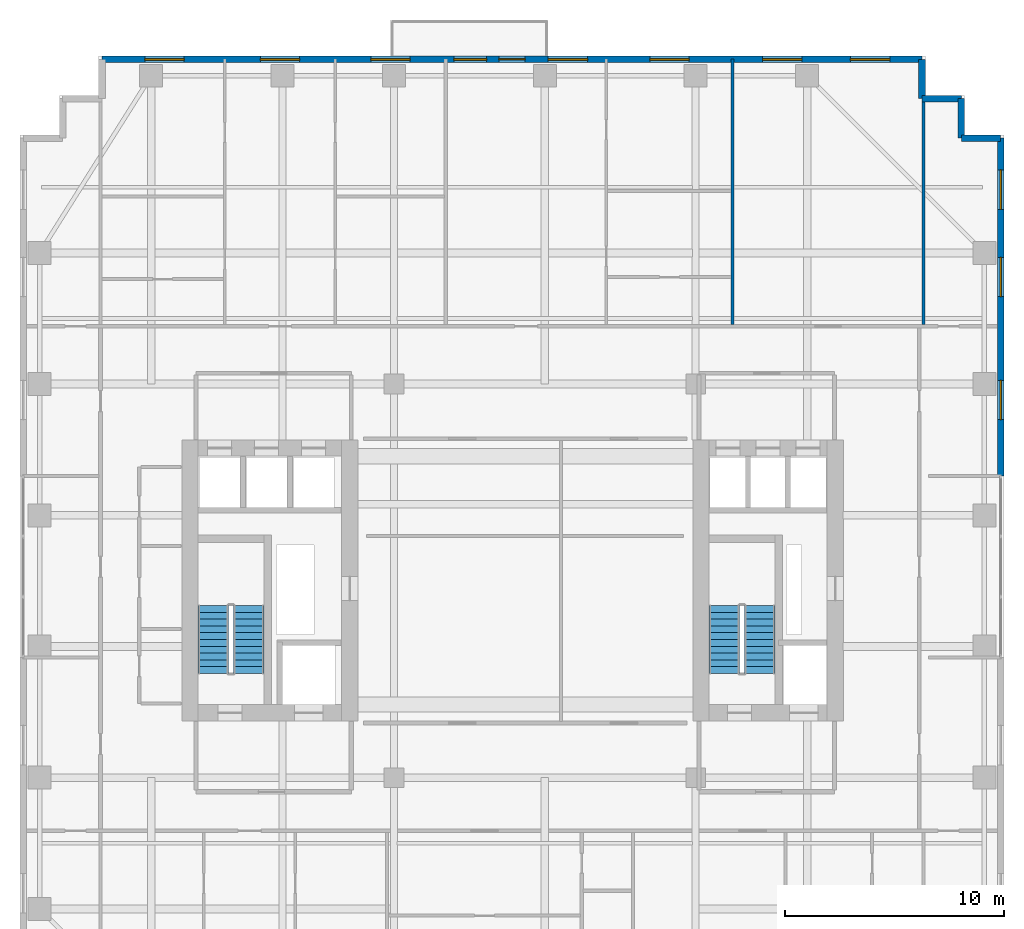
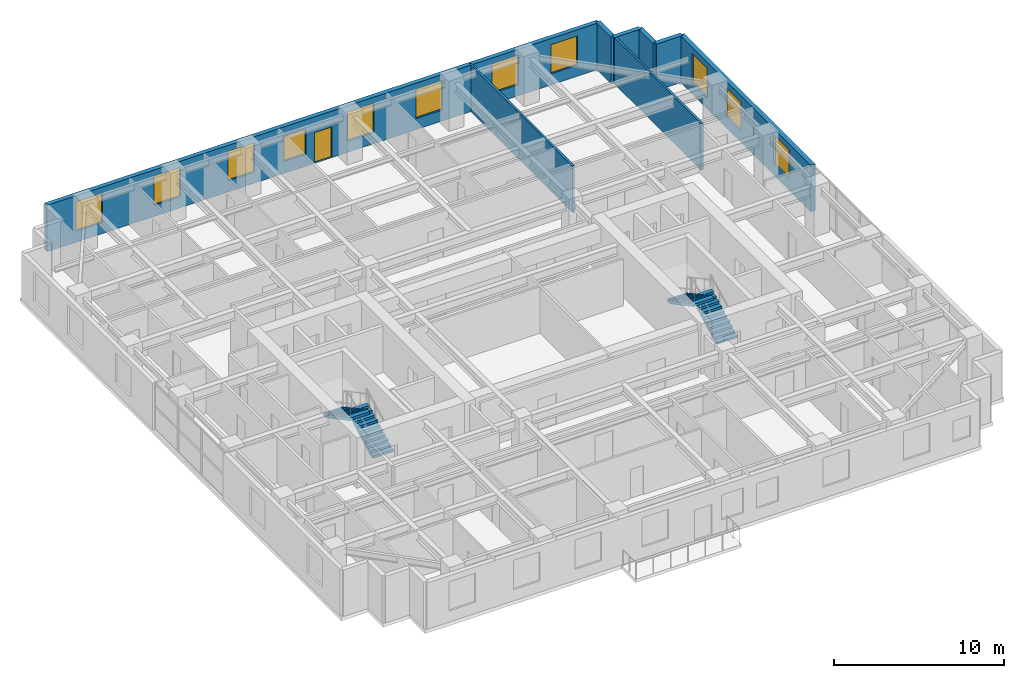
# One storey, part 11 of 13: 11 windows, 8 walls, 4 stair flights, 1 door, 12 openings, 2 elements without a shape of their own.
"""IFC4 building model written with IfcOpenShell, lengths in metres."""

import ifcopenshell
import ifcopenshell.guid

model = None  # the IFC model being written
_history = None  # IfcOwnerHistory: only IFC2X3 demands one
_inside = {}  # id of a spatial element -> (the spatial element, [elements in it])
_under = {}  # id of a project, library or spatial element -> (it, [spatial elements below it])
_declared = {}  # id of a project -> (the project, [libraries it declares])
_typed = {}  # id of a type object -> (the type object, [elements of that type])
_made_of = {}  # id of a material, layer set ... -> (it, [elements and type objects made of it])


def new_model(schema):
    """Start an empty IFC model of exactly this schema.

    Asked for "IFC4X3", IfcOpenShell would pick the latest addendum, in which some entities
    have other attributes; the version numbers below select the first issue.
    IFC2X3 requires an IfcOwnerHistory on every rooted entity: one is made here for all.
    """
    global model, _history
    if schema == "IFC4X3":
        model = ifcopenshell.file(schema_version=(4, 3, 0, 0))
    else:
        model = ifcopenshell.file(schema=schema)
    _inside.clear()
    _under.clear()
    _declared.clear()
    _typed.clear()
    _made_of.clear()
    _history = None
    if model.schema == "IFC2X3":
        org = make("IfcOrganization", Name="unknown")
        user = make(
            "IfcPersonAndOrganization",
            ThePerson=make("IfcPerson", FamilyName="unknown"),
            TheOrganization=org,
        )
        app = make(
            "IfcApplication",
            ApplicationDeveloper=org,
            Version="unknown",
            ApplicationFullName="unknown",
            ApplicationIdentifier="unknown",
        )
        _history = make(
            "IfcOwnerHistory",
            OwningUser=user,
            OwningApplication=app,
            ChangeAction="ADDED",
            CreationDate=0,
        )
    return model


def make(cls, **values):
    """One entity of the class cls with the attributes given. An attribute that is None is left unset."""
    return model.create_entity(
        cls, **{name: value for name, value in values.items() if value is not None}
    )


def rooted(cls, **values):
    """An entity with a GlobalId (a new one), such as an element, a storey or a relation."""
    return make(cls, GlobalId=ifcopenshell.guid.new(), OwnerHistory=_history, **values)


def si_unit(unit_type, name, prefix=None):
    """IfcSIUnit, for example si_unit("LENGTHUNIT", "METRE", prefix="MILLI")."""
    return make("IfcSIUnit", UnitType=unit_type, Prefix=prefix, Name=name)


def assignment(units):
    """IfcUnitAssignment: the units of a project."""
    return None if units is None else make("IfcUnitAssignment", Units=units)


def point(xyz):
    """IfcCartesianPoint."""
    return None if xyz is None else make("IfcCartesianPoint", Coordinates=xyz)


def direction(xyz):
    """IfcDirection."""
    return None if xyz is None else make("IfcDirection", DirectionRatios=xyz)


def frame(location, z_axis=None, x_axis=None):
    """IfcAxis2Placement3D, a coordinate frame: its origin and axes. An axis left out is left unset."""
    return make(
        "IfcAxis2Placement3D",
        Location=point(location),
        Axis=direction(z_axis),
        RefDirection=direction(x_axis),
    )


def frame_2d(location, x_axis=None):
    """IfcAxis2Placement2D, a coordinate frame in the plane: its origin and x axis."""
    return make(
        "IfcAxis2Placement2D", Location=point(location), RefDirection=direction(x_axis)
    )


def origin():
    """The frame at (0, 0, 0) with its axes left unset."""
    return frame((0.0, 0.0, 0.0))


def place(relative_to, where):
    """IfcLocalPlacement: puts the frame where relative to a parent placement (None: the world)."""
    return make(
        "IfcLocalPlacement", PlacementRelTo=relative_to, RelativePlacement=where
    )


def context(
    kind, dimensions, precision=None, world=None, true_north=None, identifier=None
):
    """IfcGeometricRepresentationContext, for example the 3D "Model" context."""
    return make(
        "IfcGeometricRepresentationContext",
        ContextIdentifier=identifier,
        ContextType=kind,
        CoordinateSpaceDimension=dimensions,
        Precision=precision,
        WorldCoordinateSystem=world,
        TrueNorth=true_north,
    )


def subcontext(parent, identifier, kind, view, scale=None):
    """IfcGeometricRepresentationSubContext, for example "Body" below "Model"."""
    return make(
        "IfcGeometricRepresentationSubContext",
        ContextIdentifier=identifier,
        ContextType=kind,
        ParentContext=parent,
        TargetScale=scale,
        TargetView=view,
    )


def project(units=None, contexts=None):
    """IfcProject with its units and contexts."""
    return rooted(
        "IfcProject",
        Name="project",
        RepresentationContexts=contexts,
        UnitsInContext=assignment(units),
    )


def spatial(cls, under=None, at=None, **own):
    """A site, building, storey or space (cls), placed at a placement, below another one or the project."""
    s = rooted(cls, ObjectPlacement=at, **own)
    if under is not None:
        _under.setdefault(under.id(), (under, []))[1].append(s)
    return s


def polyline(points):
    """IfcPolyline through the points."""
    return make("IfcPolyline", Points=[point(p) for p in points])


def profile(cls, at=None, kind="AREA", **sizes):
    """A parametric profile (cls). Its sizes go by their IFC names, for example OverallWidth=200.0."""
    return make(cls, ProfileType=kind, Position=at, **sizes)


def rectangle(**sizes):
    """IfcRectangleProfileDef."""
    return profile("IfcRectangleProfileDef", **sizes)


def outline(outer, holes=None, kind="AREA"):
    """IfcArbitraryClosedProfileDef: a profile drawn as a closed curve; with holes, ...WithVoids."""
    if holes is None:
        return make("IfcArbitraryClosedProfileDef", ProfileType=kind, OuterCurve=outer)
    return make(
        "IfcArbitraryProfileDefWithVoids",
        ProfileType=kind,
        OuterCurve=outer,
        InnerCurves=holes,
    )


def extrude(swept, where, along, depth):
    """IfcExtrudedAreaSolid: the profile swept, set in the frame where, extruded along a direction by depth."""
    return make(
        "IfcExtrudedAreaSolid",
        SweptArea=swept,
        Position=where,
        ExtrudedDirection=direction(along),
        Depth=depth,
    )


def shape(context_of_items, identifier, shape_type, items):
    """IfcShapeRepresentation: the items that make up one representation, for example the "Body"."""
    return make(
        "IfcShapeRepresentation",
        ContextOfItems=context_of_items,
        RepresentationIdentifier=identifier,
        RepresentationType=shape_type,
        Items=items,
    )


def source(mapping_origin, context_of_items, identifier, shape_type, items):
    """IfcRepresentationMap: a shape defined once, which mapped items show again and again."""
    return make(
        "IfcRepresentationMap",
        MappingOrigin=mapping_origin,
        MappedRepresentation=shape(context_of_items, identifier, shape_type, items),
    )


def transform(
    local_origin,
    x_axis=None,
    y_axis=None,
    z_axis=None,
    scale=None,
    scale2=None,
    scale3=None,
    uniform=True,
):
    """IfcCartesianTransformationOperator3D, or its non-uniform kind. x_axis, y_axis, z_axis: its Axis1, 2, 3."""
    if uniform:
        return make(
            "IfcCartesianTransformationOperator3D",
            Axis1=direction(x_axis),
            Axis2=direction(y_axis),
            LocalOrigin=point(local_origin),
            Scale=scale,
            Axis3=direction(z_axis),
        )
    return make(
        "IfcCartesianTransformationOperator3DnonUniform",
        Axis1=direction(x_axis),
        Axis2=direction(y_axis),
        LocalOrigin=point(local_origin),
        Scale=scale,
        Axis3=direction(z_axis),
        Scale2=scale2,
        Scale3=scale3,
    )


def mapped(mapping_source, mapping_target):
    """IfcMappedItem: shows the shape of a source again, moved by a transform."""
    return make(
        "IfcMappedItem", MappingSource=mapping_source, MappingTarget=mapping_target
    )


def material(Name=None, Category=None):
    """IfcMaterial."""
    return make("IfcMaterial", Name=Name, Category=Category)


def layer(
    of_material, thickness, ventilated=None, Name=None, Category=None, Priority=None
):
    """IfcMaterialLayer: one layer of a wall or slab, of a material (None: an air gap)."""
    return make(
        "IfcMaterialLayer",
        Material=of_material,
        LayerThickness=thickness,
        IsVentilated=ventilated,
        Name=Name,
        Category=Category,
        Priority=Priority,
    )


def layer_set(layers, Name=None):
    """IfcMaterialLayerSet."""
    return make("IfcMaterialLayerSet", MaterialLayers=layers, LayerSetName=Name)


def made_of(thing, what):
    """Note that an element or type object is made of a material, layer set ...; save() writes the relation."""
    if what is not None:
        _made_of.setdefault(what.id(), (what, []))[1].append(thing)
    return thing


def type_object(cls, material=None, **own):
    """A type object (cls), such as IfcWallType, which elements share."""
    return made_of(rooted(cls, **own), material)


def element(
    cls,
    number,
    at=None,
    inside=None,
    cuts=None,
    type_object=None,
    material=None,
    context=None,
    identifier="Body",
    shape_type=None,
    held_by="IfcProductDefinitionShape",
    body=None,
    shapes=None,
    **own,
):
    """One element of the class cls, such as IfcWall. Its Tag is "e" and its number.

    at: its placement. inside: the storey or other place that contains it. cuts: it is an
    opening in that element (IfcRelVoidsElement). A single representation is given by context,
    identifier, shape_type and body (its items); several are given by shapes. held_by: the class
    of the entity that holds the representations. save() writes the other relations.
    """
    e = rooted(cls, Tag="e%d" % number, ObjectPlacement=at, **own)
    if body is not None:
        shapes = [shape(context, identifier, shape_type, body)]
    if shapes is not None:
        e.Representation = make(held_by, Representations=shapes)
    if inside is not None:
        _inside.setdefault(inside.id(), (inside, []))[1].append(e)
    if cuts is not None:
        rooted(
            "IfcRelVoidsElement", RelatingBuildingElement=cuts, RelatedOpeningElement=e
        )
    if type_object is not None:
        _typed.setdefault(type_object.id(), (type_object, []))[1].append(e)
    return made_of(e, material)


def fill(opening, filler):
    """IfcRelFillsElement: the door or window that sits in an opening."""
    return rooted(
        "IfcRelFillsElement",
        RelatingOpeningElement=opening,
        RelatedBuildingElement=filler,
    )


def aggregate(whole, parts):
    """IfcRelAggregates: a whole, such as a stair, and the parts it consists of."""
    return rooted("IfcRelAggregates", RelatingObject=whole, RelatedObjects=parts)


def save(model, path):
    """Write the relations noted so far, then the file.

    IfcRelAggregates (storeys below a building ...), IfcRelContainedInSpatialStructure (elements
    in a storey), IfcRelDefinesByType, IfcRelAssociatesMaterial and IfcRelDeclares: one each for
    every whole, place, type object, material and project.
    """
    for whole, parts in _under.values():
        aggregate(whole, parts)
    for where, things in _inside.values():
        rooted(
            "IfcRelContainedInSpatialStructure",
            RelatedElements=things,
            RelatingStructure=where,
        )
    for kind, things in _typed.values():
        rooted("IfcRelDefinesByType", RelatedObjects=things, RelatingType=kind)
    for what, things in _made_of.values():
        rooted("IfcRelAssociatesMaterial", RelatedObjects=things, RelatingMaterial=what)
    for by, libraries in _declared.values():
        rooted("IfcRelDeclares", RelatingContext=by, RelatedDefinitions=libraries)
    model.write(path)


model = new_model("IFC4")

# Units and contexts
model_context = context("Model", 3, precision=1e-05, world=origin(), true_north=direction((0.0, 1.0)))
body_context = subcontext(model_context, "Body", "Model", "MODEL_VIEW")
ifc_project = project(units=[si_unit("LENGTHUNIT", "METRE"), si_unit("AREAUNIT", "SQUARE_METRE"), si_unit("VOLUMEUNIT", "CUBIC_METRE"), si_unit("PLANEANGLEUNIT", "RADIAN"), si_unit("MASSUNIT", "GRAM", prefix="KILO")], contexts=[model_context])

# Site, building, storey
site_placement = place(None, origin())
site = spatial("IfcSite", under=ifc_project, at=site_placement, CompositionType="ELEMENT")
building_placement = place(site_placement, origin())
building = spatial("IfcBuilding", under=site, at=building_placement, Name="Khoralis Quay Care Tower", CompositionType="ELEMENT")
storey_placement = place(building_placement, frame((0.0, 0.0, 87.300048828125)))
storey = spatial("IfcBuildingStorey", under=building, at=storey_placement, Name="L22", CompositionType="ELEMENT", Elevation=87.300048828125)

# Wall, openings, windows
ifc_material_1 = material(Name="Precast concrete C45/55", Category="concrete")
ifc_layer_1 = layer(ifc_material_1, 0.300048828125)
ifc_layer_set_1 = layer_set([ifc_layer_1], Name="Precast concrete C45/55")
wall_type_1 = type_object("IfcWallType", Name="WL-EXT-REF-300", PredefinedType="SOLIDWALL", material=ifc_layer_set_1)
wall_1_placement = place(storey_placement, frame((44.85009765625, 25.800048828125, 0.0), z_axis=(0.0, 0.0, 1.0), x_axis=(0.0, 1.0, 0.0)))
wall_1 = element("IfcWall", 1, at=wall_1_placement, inside=storey, type_object=wall_type_1, Name="L22 External Facade Wall WL-EXT-L22-P1-E5B", PredefinedType="SOLIDWALL", context=body_context, shape_type="SweptSolid", body=[
    extrude(rectangle(XDim=15.449951171875, YDim=0.300048828125, at=frame_2d((7.72509765625, 0.0))), origin(), (0.0, 0.0, 1.0), 3.33984375),
])
opening_1_placement = place(wall_1_placement, frame((2.570068359375, 0.0, 0.800048828125)))
opening_1 = element("IfcOpeningElement", 2, at=opening_1_placement, cuts=wall_1, Name="Opening W2", PredefinedType="OPENING", context=body_context, shape_type="SweptSolid", body=[
    extrude(rectangle(XDim=1.800048828125, YDim=2.10009765625, at=frame_2d((0.89990234375, 1.050048828125))), frame((0.0, 0.16015625, 0.0), z_axis=(0.0, -1.0, 0.0), x_axis=(1.0, 0.0, 0.0)), (0.0, 0.0, 1.0), 0.320068359375),
])
opening_2_placement = place(wall_1_placement, frame((8.197509765625, 0.0, 0.800048828125)))
opening_2 = element("IfcOpeningElement", 3, at=opening_2_placement, cuts=wall_1, Name="Opening W2", PredefinedType="OPENING", context=body_context, shape_type="SweptSolid", body=[
    extrude(rectangle(XDim=1.800048828125, YDim=2.10009765625, at=frame_2d((0.89990234375, 1.050048828125))), frame((0.0, 0.16015625, 0.0), z_axis=(0.0, -1.0, 0.0), x_axis=(1.0, 0.0, 0.0)), (0.0, 0.0, 1.0), 0.320068359375),
])
opening_3_placement = place(wall_1_placement, frame((12.1923828125, 0.0, 0.800048828125)))
opening_3 = element("IfcOpeningElement", 4, at=opening_3_placement, cuts=wall_1, Name="Opening W2", PredefinedType="OPENING", context=body_context, shape_type="SweptSolid", body=[
    extrude(rectangle(XDim=1.800048828125, YDim=2.10009765625, at=frame_2d((0.89990234375, 1.050048828125))), frame((0.0, 0.16015625, 0.0), z_axis=(0.0, -1.0, 0.0), x_axis=(1.0, 0.0, 0.0)), (0.0, 0.0, 1.0), 0.320068359375),
])
ifc_material_2 = material(Name="Low-E solar-control double glazing", Category="glass")
window_type_1 = type_object("IfcWindowType", Name="WN-POD-1800X2100", PartitioningType="SINGLE_PANEL", PredefinedType="WINDOW", material=ifc_material_2)
shared_shape_1 = source(origin(), body_context, "Body", "SweptSolid", [
    extrude(rectangle(XDim=1.800048828125, YDim=2.10009765625, at=frame_2d((0.89990234375, 1.050048828125))), frame((0.0, 0.030029296875, 0.0), z_axis=(0.0, -1.0, 0.0), x_axis=(1.0, 0.0, 0.0)), (0.0, 0.0, 1.0), 0.06005859375),
])
window_1_placement = place(opening_1_placement, origin())
window_1 = element("IfcWindow", 5, at=window_1_placement, inside=storey, type_object=window_type_1, Name="WN-L22-P1-E5B Facade Window 01", OverallHeight=2.10009765625, OverallWidth=1.800048828125, PartitioningType="SINGLE_PANEL", PredefinedType="WINDOW", context=body_context, shape_type="MappedRepresentation", body=[
    mapped(shared_shape_1, transform((0.0, 0.0, 0.0), scale=1.0)),
])
fill(opening_1, window_1)
window_2_placement = place(opening_2_placement, origin())
window_2 = element("IfcWindow", 6, at=window_2_placement, inside=storey, type_object=window_type_1, Name="WN-L22-P1-E5B Facade Window 02", OverallHeight=2.10009765625, OverallWidth=1.800048828125, PartitioningType="SINGLE_PANEL", PredefinedType="WINDOW", context=body_context, shape_type="MappedRepresentation", body=[
    mapped(shared_shape_1, transform((0.0, 0.0, 0.0), scale=1.0)),
])
fill(opening_2, window_2)
window_3_placement = place(opening_3_placement, origin())
window_3 = element("IfcWindow", 7, at=window_3_placement, inside=storey, type_object=window_type_1, Name="WN-L22-P1-E5B Facade Window 03", OverallHeight=2.10009765625, OverallWidth=1.800048828125, PartitioningType="SINGLE_PANEL", PredefinedType="WINDOW", context=body_context, shape_type="MappedRepresentation", body=[
    mapped(shared_shape_1, transform((0.0, 0.0, 0.0), scale=1.0)),
])
fill(opening_3, window_3)

# Walls
for number, where, z_axis, x_axis, name in (
    (8, (44.85009765625, 41.25, 0.0), (0.0, 0.0, 1.0), (-1.0, 0.0, 0.0), "L22 External Facade Wall WL-EXT-L22-P1-C6"),
    (9, (43.050048828125, 41.25, 0.0), (0.0, 0.0, 1.0), (0.0, 1.0, 0.0), "L22 External Facade Wall WL-EXT-L22-P1-C7"),
    (10, (43.050048828125, 43.050048828125, 0.0), (0.0, 0.0, 1.0), (-1.0, 0.0, 0.0), "L22 External Facade Wall WL-EXT-L22-P1-C8"),
    (11, (41.25, 43.050048828125, 0.0), (0.0, 0.0, 1.0), (0.0, 1.0, 0.0), "L22 External Facade Wall WL-EXT-L22-P1-C9"),
):
    element("IfcWall", number, at=place(storey_placement, frame(where, z_axis=z_axis, x_axis=x_axis)), inside=storey, type_object=wall_type_1, Name=name, PredefinedType="SOLIDWALL", context=body_context, shape_type="SweptSolid", body=[
        extrude(rectangle(XDim=1.800048828125, YDim=0.300048828125, at=frame_2d((0.89990234375, 0.0))), origin(), (0.0, 0.0, 1.0), 3.33984375),
    ])

# Wall, openings, windows, door
wall_2_placement = place(storey_placement, frame((41.25, 44.85009765625, 0.0), z_axis=(0.0, 0.0, 1.0), x_axis=(-1.0, 0.0, 0.0)))
wall_2 = element("IfcWall", 12, at=wall_2_placement, inside=storey, type_object=wall_type_1, Name="L22 External Facade Wall WL-EXT-L22-P1-E10", PredefinedType="SOLIDWALL", context=body_context, shape_type="SweptSolid", body=[
    extrude(rectangle(XDim=37.5, YDim=0.300048828125, at=frame_2d((18.75, 0.0))), origin(), (0.0, 0.0, 1.0), 3.33984375),
])
opening_4_placement = place(wall_2_placement, frame((1.469970703125, 0.0, 0.800048828125)))
opening_4 = element("IfcOpeningElement", 13, at=opening_4_placement, cuts=wall_2, Name="Opening W2", PredefinedType="OPENING", context=body_context, shape_type="SweptSolid", body=[
    extrude(rectangle(XDim=1.800048828125, YDim=2.10009765625, at=frame_2d((0.89990234375, 1.050048828125))), frame((0.0, 0.16015625, 0.0), z_axis=(0.0, -1.0, 0.0), x_axis=(1.0, 0.0, 0.0)), (0.0, 0.0, 1.0), 0.320068359375),
])
opening_5_placement = place(wall_2_placement, frame((5.489990234375, 0.0, 0.800048828125)))
opening_5 = element("IfcOpeningElement", 14, at=opening_5_placement, cuts=wall_2, Name="Opening W2", PredefinedType="OPENING", context=body_context, shape_type="SweptSolid", body=[
    extrude(rectangle(XDim=1.800048828125, YDim=2.10009765625, at=frame_2d((0.89990234375, 1.050048828125))), frame((0.0, 0.16015625, 0.0), z_axis=(0.0, -1.0, 0.0), x_axis=(1.0, 0.0, 0.0)), (0.0, 0.0, 1.0), 0.320068359375),
])
opening_6_placement = place(wall_2_placement, frame((10.646484375, 0.0, 0.800048828125)))
opening_6 = element("IfcOpeningElement", 15, at=opening_6_placement, cuts=wall_2, Name="Opening W2", PredefinedType="OPENING", context=body_context, shape_type="SweptSolid", body=[
    extrude(rectangle(XDim=1.800048828125, YDim=2.10009765625, at=frame_2d((0.89990234375, 1.050048828125))), frame((0.0, 0.16015625, 0.0), z_axis=(0.0, -1.0, 0.0), x_axis=(1.0, 0.0, 0.0)), (0.0, 0.0, 1.0), 0.320068359375),
])
opening_7_placement = place(wall_2_placement, frame((15.29638671875, 0.0, 0.800048828125)))
opening_7 = element("IfcOpeningElement", 16, at=opening_7_placement, cuts=wall_2, Name="Opening W2", PredefinedType="OPENING", context=body_context, shape_type="SweptSolid", body=[
    extrude(rectangle(XDim=1.800048828125, YDim=2.10009765625, at=frame_2d((0.89990234375, 1.050048828125))), frame((0.0, 0.16015625, 0.0), z_axis=(0.0, -1.0, 0.0), x_axis=(1.0, 0.0, 0.0)), (0.0, 0.0, 1.0), 0.320068359375),
])
opening_8_placement = place(wall_2_placement, frame((19.909912109375, 0.0, 0.85009765625)))
opening_8 = element("IfcOpeningElement", 17, at=opening_8_placement, cuts=wall_2, Name="Opening W3", PredefinedType="OPENING", context=body_context, shape_type="SweptSolid", body=[
    extrude(rectangle(XDim=1.5, YDim=1.800048828125, at=frame_2d((0.75, 0.89990234375))), frame((0.0, 0.16015625, 0.0), z_axis=(0.0, -1.0, 0.0), x_axis=(1.0, 0.0, 0.0)), (0.0, 0.0, 1.0), 0.320068359375),
])
opening_9_placement = place(wall_2_placement, frame((23.406494140625, 0.0, 0.800048828125)))
opening_9 = element("IfcOpeningElement", 18, at=opening_9_placement, cuts=wall_2, Name="Opening W2", PredefinedType="OPENING", context=body_context, shape_type="SweptSolid", body=[
    extrude(rectangle(XDim=1.800048828125, YDim=2.10009765625, at=frame_2d((0.89990234375, 1.050048828125))), frame((0.0, 0.16015625, 0.0), z_axis=(0.0, -1.0, 0.0), x_axis=(1.0, 0.0, 0.0)), (0.0, 0.0, 1.0), 0.320068359375),
])
opening_10_placement = place(wall_2_placement, frame((28.45947265625, 0.0, 0.800048828125)))
opening_10 = element("IfcOpeningElement", 19, at=opening_10_placement, cuts=wall_2, Name="Opening W2", PredefinedType="OPENING", context=body_context, shape_type="SweptSolid", body=[
    extrude(rectangle(XDim=1.800048828125, YDim=2.10009765625, at=frame_2d((0.89990234375, 1.050048828125))), frame((0.0, 0.16015625, 0.0), z_axis=(0.0, -1.0, 0.0), x_axis=(1.0, 0.0, 0.0)), (0.0, 0.0, 1.0), 0.320068359375),
])
opening_11_placement = place(wall_2_placement, frame((33.742919921875, 0.0, 0.800048828125)))
opening_11 = element("IfcOpeningElement", 20, at=opening_11_placement, cuts=wall_2, Name="Opening W2", PredefinedType="OPENING", context=body_context, shape_type="SweptSolid", body=[
    extrude(rectangle(XDim=1.800048828125, YDim=2.10009765625, at=frame_2d((0.89990234375, 1.050048828125))), frame((0.0, 0.16015625, 0.0), z_axis=(0.0, -1.0, 0.0), x_axis=(1.0, 0.0, 0.0)), (0.0, 0.0, 1.0), 0.320068359375),
])
opening_12_placement = place(wall_2_placement, frame((18.14990234375, 0.0, 0.0)))
opening_12 = element("IfcOpeningElement", 21, at=opening_12_placement, cuts=wall_2, Name="Opening BD1", PredefinedType="OPENING", context=body_context, shape_type="SweptSolid", body=[
    extrude(rectangle(XDim=1.199951171875, YDim=2.199951171875, at=frame_2d((0.60009765625, 1.10009765625))), frame((0.0, 0.16015625, 0.0), z_axis=(0.0, -1.0, 0.0), x_axis=(1.0, 0.0, 0.0)), (0.0, 0.0, 1.0), 0.320068359375),
])
window_type_2 = type_object("IfcWindowType", Name="WN-CLIN-1500X1800", PartitioningType="SINGLE_PANEL", PredefinedType="WINDOW", material=ifc_material_2)
shared_shape_2 = source(origin(), body_context, "Body", "SweptSolid", [
    extrude(rectangle(XDim=1.5, YDim=1.800048828125, at=frame_2d((0.75, 0.89990234375))), frame((0.0, 0.030029296875, 0.0), z_axis=(0.0, -1.0, 0.0), x_axis=(1.0, 0.0, 0.0)), (0.0, 0.0, 1.0), 0.06005859375),
])
window_4_placement = place(opening_8_placement, origin())
window_4 = element("IfcWindow", 22, at=window_4_placement, inside=storey, type_object=window_type_2, Name="WN-L22-P1-E10 Facade Window 05", OverallHeight=1.800048828125, OverallWidth=1.5, PartitioningType="SINGLE_PANEL", PredefinedType="WINDOW", context=body_context, shape_type="MappedRepresentation", body=[
    mapped(shared_shape_2, transform((0.0, 0.0, 0.0), scale=1.0)),
])
fill(opening_8, window_4)
window_5_placement = place(opening_4_placement, origin())
window_5 = element("IfcWindow", 23, at=window_5_placement, inside=storey, type_object=window_type_1, Name="WN-L22-P1-E10 Facade Window 01", OverallHeight=2.10009765625, OverallWidth=1.800048828125, PartitioningType="SINGLE_PANEL", PredefinedType="WINDOW", context=body_context, shape_type="MappedRepresentation", body=[
    mapped(shared_shape_1, transform((0.0, 0.0, 0.0), scale=1.0)),
])
fill(opening_4, window_5)
window_6_placement = place(opening_5_placement, origin())
window_6 = element("IfcWindow", 24, at=window_6_placement, inside=storey, type_object=window_type_1, Name="WN-L22-P1-E10 Facade Window 02", OverallHeight=2.10009765625, OverallWidth=1.800048828125, PartitioningType="SINGLE_PANEL", PredefinedType="WINDOW", context=body_context, shape_type="MappedRepresentation", body=[
    mapped(shared_shape_1, transform((0.0, 0.0, 0.0), scale=1.0)),
])
fill(opening_5, window_6)
window_7_placement = place(opening_6_placement, origin())
window_7 = element("IfcWindow", 25, at=window_7_placement, inside=storey, type_object=window_type_1, Name="WN-L22-P1-E10 Facade Window 03", OverallHeight=2.10009765625, OverallWidth=1.800048828125, PartitioningType="SINGLE_PANEL", PredefinedType="WINDOW", context=body_context, shape_type="MappedRepresentation", body=[
    mapped(shared_shape_1, transform((0.0, 0.0, 0.0), scale=1.0)),
])
fill(opening_6, window_7)
window_8_placement = place(opening_7_placement, origin())
window_8 = element("IfcWindow", 26, at=window_8_placement, inside=storey, type_object=window_type_1, Name="WN-L22-P1-E10 Facade Window 04", OverallHeight=2.10009765625, OverallWidth=1.800048828125, PartitioningType="SINGLE_PANEL", PredefinedType="WINDOW", context=body_context, shape_type="MappedRepresentation", body=[
    mapped(shared_shape_1, transform((0.0, 0.0, 0.0), scale=1.0)),
])
fill(opening_7, window_8)
window_9_placement = place(opening_9_placement, origin())
window_9 = element("IfcWindow", 27, at=window_9_placement, inside=storey, type_object=window_type_1, Name="WN-L22-P1-E10 Facade Window 06", OverallHeight=2.10009765625, OverallWidth=1.800048828125, PartitioningType="SINGLE_PANEL", PredefinedType="WINDOW", context=body_context, shape_type="MappedRepresentation", body=[
    mapped(shared_shape_1, transform((0.0, 0.0, 0.0), scale=1.0)),
])
fill(opening_9, window_9)
window_10_placement = place(opening_10_placement, origin())
window_10 = element("IfcWindow", 28, at=window_10_placement, inside=storey, type_object=window_type_1, Name="WN-L22-P1-E10 Facade Window 07", OverallHeight=2.10009765625, OverallWidth=1.800048828125, PartitioningType="SINGLE_PANEL", PredefinedType="WINDOW", context=body_context, shape_type="MappedRepresentation", body=[
    mapped(shared_shape_1, transform((0.0, 0.0, 0.0), scale=1.0)),
])
fill(opening_10, window_10)
window_11_placement = place(opening_11_placement, origin())
window_11 = element("IfcWindow", 29, at=window_11_placement, inside=storey, type_object=window_type_1, Name="WN-L22-P1-E10 Facade Window 08", OverallHeight=2.10009765625, OverallWidth=1.800048828125, PartitioningType="SINGLE_PANEL", PredefinedType="WINDOW", context=body_context, shape_type="MappedRepresentation", body=[
    mapped(shared_shape_1, transform((0.0, 0.0, 0.0), scale=1.0)),
])
fill(opening_11, window_11)
ifc_material_3 = material(Name="Anodised aluminium and laminated safety glass", Category="aluminium")
door_type = type_object("IfcDoorType", Name="DR-EXT-BALC-1200X2200", OperationType="NOTDEFINED", PredefinedType="DOOR", material=ifc_material_3)
shared_shape_3 = source(origin(), body_context, "Body", "SweptSolid", [
    extrude(rectangle(XDim=1.199951171875, YDim=2.199951171875, at=frame_2d((0.60009765625, 1.10009765625))), frame((0.0, 0.02490234375, 0.0), z_axis=(0.0, -1.0, 0.0), x_axis=(1.0, 0.0, 0.0)), (0.0, 0.0, 1.0), 0.050048828125),
])
door_placement = place(opening_12_placement, frame((1.199951171875, 0.0, 0.0), z_axis=(0.0, 0.0, 1.0), x_axis=(-1.0, 0.0, 0.0)))
door = element("IfcDoor", 30, at=door_placement, inside=storey, type_object=door_type, Name="L22 Senior Loggia Balcony Door", OperationType="SINGLE_SWING_LEFT", OverallHeight=2.199951171875, OverallWidth=1.199951171875, PredefinedType="DOOR", context=body_context, shape_type="MappedRepresentation", body=[
    mapped(shared_shape_3, transform((0.0, 0.0, 0.0), scale=1.0)),
])
fill(opening_12, door)

# Walls
ifc_material_4 = material(Name="Gypsum plasterboard on acoustic metal stud")
ifc_layer_2 = layer(ifc_material_4, 0.139892578125)
ifc_layer_set_2 = layer_set([ifc_layer_2], Name="Gypsum plasterboard on acoustic metal stud")
wall_type_2 = type_object("IfcWallType", Name="WL-UNIT-140", PredefinedType="PARTITIONING", material=ifc_layer_set_2)
wall_3_placement = place(storey_placement, frame((32.590087890625, 32.717529296875, 0.0), z_axis=(0.0, 0.0, 1.0), x_axis=(0.0, 1.0, 0.0)))
element("IfcWall", 31, at=wall_3_placement, inside=storey, type_object=wall_type_2, Name="L22 NB Demising Wall 2", PredefinedType="PARTITIONING", context=body_context, shape_type="SweptSolid", body=[
    extrude(rectangle(XDim=12.137451171875, YDim=0.139892578125, at=frame_2d((6.06884765625, 0.0))), origin(), (0.0, 0.0, 1.0), 3.33984375),
])
wall_4_placement = place(storey_placement, frame((41.320068359375, 32.717529296875, 0.0), z_axis=(0.0, 0.0, 1.0), x_axis=(0.0, 1.0, 0.0)))
element("IfcWall", 32, at=wall_4_placement, inside=storey, type_object=wall_type_2, Name="L22 NB Demising Wall 3", PredefinedType="PARTITIONING", context=body_context, shape_type="SweptSolid", body=[
    extrude(rectangle(XDim=10.33740234375, YDim=0.139892578125, at=frame_2d((5.168701171875, 0.0))), origin(), (0.0, 0.0, 1.0), 3.33984375),
])

# Stair, stair flights
stair_type = type_object("IfcStairType", Name="ST-TWR-DOGLEG-1400", PredefinedType="HALF_TURN_STAIR", material=ifc_material_1)
stair_1_placement = place(storey_placement, origin())
stair_1 = element("IfcStair", 33, at=stair_1_placement, inside=storey, type_object=stair_type, Name="L22 West Core Exit Stair ST-T1", PredefinedType="HALF_TURN_STAIR")
stair_flight_type = type_object("IfcStairFlightType", Name="SF-TWR-1400", PredefinedType="STRAIGHT", material=ifc_material_1)
shared_shape_4 = source(origin(), body_context, "Body", "SweptSolid", [
    extrude(outline(polyline([(0.0, 0.0), (0.0, 0.16357421875), (0.31005859375, 0.16357421875), (0.31005859375, 0.327392578125), (0.6201171875, 0.327392578125), (0.6201171875, 0.490966796875), (0.929931640625, 0.490966796875), (0.929931640625, 0.654541015625), (1.239990234375, 0.654541015625), (1.239990234375, 0.818115234375), (1.550048828125, 0.818115234375), (1.550048828125, 0.98193359375), (1.860107421875, 0.98193359375), (1.860107421875, 1.1455078125), (2.169921875, 1.1455078125), (2.169921875, 1.30908203125), (2.47998046875, 1.30908203125), (2.47998046875, 1.47265625), (2.7900390625, 1.47265625), (2.7900390625, 1.636474609375), (3.10009765625, 1.636474609375), (3.10009765625, 1.800048828125), (3.10009765625, 1.466796875), (0.321044921875, 0.0), (0.0, 0.0)])), frame((0.0, 0.68994140625, 0.0), z_axis=(0.0, -1.0, 0.0), x_axis=(1.0, 0.0, 0.0)), (0.0, 0.0, 1.0), 1.3798828125),
])
stair_flight_1_placement = place(storey_placement, frame((10.4599609375, 16.77001953125, 0.0), z_axis=(0.0, 0.0, 1.0), x_axis=(0.0, 1.0, 0.0)))
stair_flight_1 = element("IfcStairFlight", 34, at=stair_flight_1_placement, type_object=stair_flight_type, Name="ST-T1 flight 1", NumberOfRisers=11, NumberOfTreads=10, PredefinedType="STRAIGHT", RiserHeight=0.163636364, TreadLength=0.31, context=body_context, shape_type="MappedRepresentation", body=[
    mapped(shared_shape_4, transform((0.0, 0.0, 0.0), scale=1.0)),
])
stair_flight_2_placement = place(storey_placement, frame((8.840087890625, 19.8701171875, 1.800048828125), z_axis=(0.0, 0.0, 1.0), x_axis=(0.0, -1.0, 0.0)))
stair_flight_2 = element("IfcStairFlight", 35, at=stair_flight_2_placement, type_object=stair_flight_type, Name="ST-T1 flight 2", NumberOfRisers=11, NumberOfTreads=10, PredefinedType="STRAIGHT", RiserHeight=0.163636364, TreadLength=0.31, context=body_context, shape_type="MappedRepresentation", body=[
    mapped(shared_shape_4, transform((0.0, 0.0, 0.0), scale=1.0)),
])
aggregate(stair_1, [stair_flight_1, stair_flight_2])

stair_2_placement = place(storey_placement, origin())
stair_2 = element("IfcStair", 36, at=stair_2_placement, inside=storey, type_object=stair_type, Name="L22 East Core Exit Stair ST-T2", PredefinedType="HALF_TURN_STAIR")
stair_flight_3_placement = place(storey_placement, frame((33.830078125, 16.77001953125, 0.0), z_axis=(0.0, 0.0, 1.0), x_axis=(0.0, 1.0, 0.0)))
stair_flight_3 = element("IfcStairFlight", 37, at=stair_flight_3_placement, type_object=stair_flight_type, Name="ST-T2 flight 1", NumberOfRisers=11, NumberOfTreads=10, PredefinedType="STRAIGHT", RiserHeight=0.163636364, TreadLength=0.31, context=body_context, shape_type="MappedRepresentation", body=[
    mapped(shared_shape_4, transform((0.0, 0.0, 0.0), scale=1.0)),
])
stair_flight_4_placement = place(storey_placement, frame((32.2099609375, 19.8701171875, 1.800048828125), z_axis=(0.0, 0.0, 1.0), x_axis=(0.0, -1.0, 0.0)))
stair_flight_4 = element("IfcStairFlight", 38, at=stair_flight_4_placement, type_object=stair_flight_type, Name="ST-T2 flight 2", NumberOfRisers=11, NumberOfTreads=10, PredefinedType="STRAIGHT", RiserHeight=0.163636364, TreadLength=0.31, context=body_context, shape_type="MappedRepresentation", body=[
    mapped(shared_shape_4, transform((0.0, 0.0, 0.0), scale=1.0)),
])
aggregate(stair_2, [stair_flight_3, stair_flight_4])

save(model, "model.ifc")
